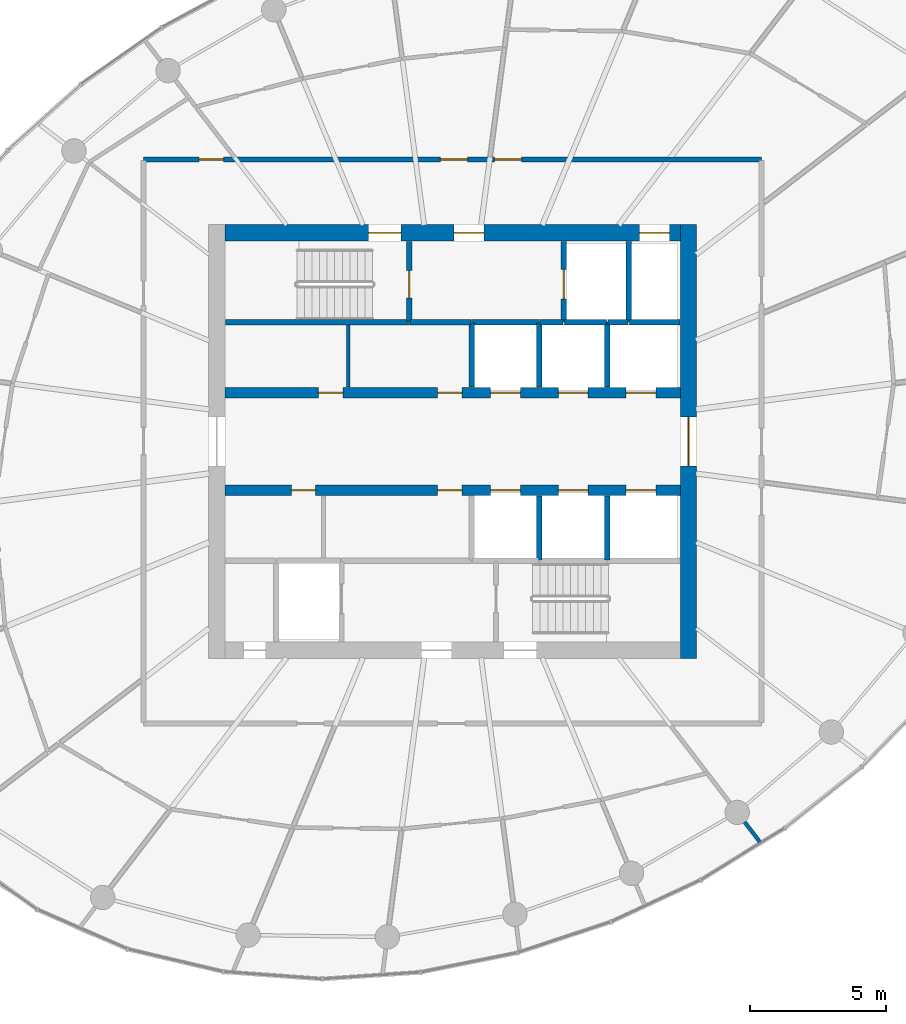
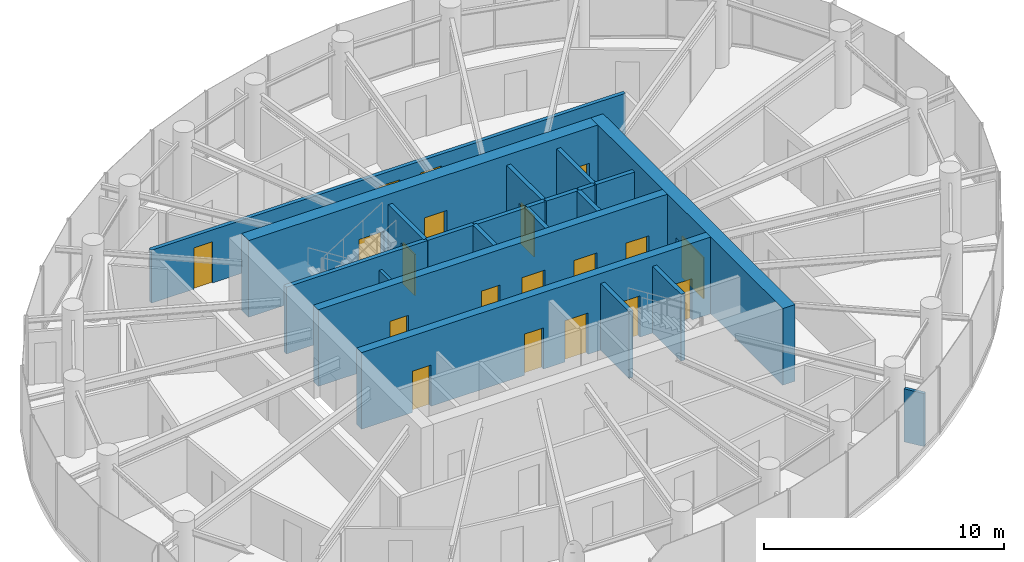
# One storey, part 10 of 14: 22 walls, 19 doors, 19 openings.
"""IFC4 building model written with IfcOpenShell, lengths in metres."""

from ifc_helpers import new_model, si_unit, direction, frame, frame_2d, origin, place, context, subcontext, project, spatial, rectangle, extrude, source, transform, mapped, material, layer, layer_set, type_object, element, fill, save


model = new_model("IFC4")

# Units and contexts
model_context = context("Model", 3, precision=1e-05, world=origin(), true_north=direction((0.0, 1.0)))
body_context = subcontext(model_context, "Body", "Model", "MODEL_VIEW")
ifc_project = project(units=[si_unit("LENGTHUNIT", "METRE"), si_unit("AREAUNIT", "SQUARE_METRE"), si_unit("VOLUMEUNIT", "CUBIC_METRE"), si_unit("PLANEANGLEUNIT", "RADIAN"), si_unit("MASSUNIT", "GRAM", prefix="KILO")], contexts=[model_context])

# Site, building, storey
site_placement = place(None, origin())
site = spatial("IfcSite", under=ifc_project, at=site_placement, CompositionType="ELEMENT")
building_placement = place(site_placement, origin())
building = spatial("IfcBuilding", under=site, at=building_placement, Name="Spindrift Exchange Tower", CompositionType="ELEMENT")
storey_placement = place(building_placement, frame((0.0, 0.0, 226.699951171875)))
storey = spatial("IfcBuildingStorey", under=building, at=storey_placement, Name="L55", CompositionType="ELEMENT", Elevation=226.699951171875)

# Wall, opening, door
ifc_material_1 = material(Name="Concrete 50 MPa", Category="concrete")
ifc_layer_1 = layer(ifc_material_1, 0.60009765625)
ifc_layer_set_1 = layer_set([ifc_layer_1], Name="RC Core Wall 600 Concrete 50 MPa")
wall_type_1 = type_object("IfcWallType", Name="RC Core Wall 600 Concrete 50 MPa", PredefinedType="SHEAR", material=ifc_layer_set_1)
wall_1_placement = place(storey_placement, frame((60.699951171875, 40.0, 0.0), z_axis=(0.0, 0.0, 1.0), x_axis=(0.0, 1.0, 0.0)))
wall_1 = element("IfcWall", 1, at=wall_1_placement, inside=storey, type_object=wall_type_1, Name="Core wall E L55", PredefinedType="SHEAR", context=body_context, shape_type="SweptSolid", body=[
    extrude(rectangle(XDim=16.0, YDim=0.60009765625, at=frame_2d((8.0, 0.0))), origin(), (0.0, 0.0, 1.0), 3.900146484375),
])
opening_1_placement = place(wall_1_placement, frame((7.10009765625, 0.0, 0.0)))
opening_1 = element("IfcOpeningElement", 2, at=opening_1_placement, cuts=wall_1, Name="Opening L55-D2", PredefinedType="OPENING", context=body_context, shape_type="SweptSolid", body=[
    extrude(rectangle(XDim=1.800048828125, YDim=2.10009765625, at=frame_2d((0.89990234375, 1.050048828125))), frame((0.0, 0.31005859375, 0.0), z_axis=(0.0, -1.0, 0.0), x_axis=(1.0, 0.0, 0.0)), (0.0, 0.0, 1.0), 0.6201171875),
])
ifc_material_2 = material(Name="Timber-core fire door", Category="wood")
door_type_1 = type_object("IfcDoorType", Name="DR-LOBBY-1800", OperationType="NOTDEFINED", PredefinedType="DOOR", material=ifc_material_2)
shared_shape_1 = source(origin(), body_context, "Body", "SweptSolid", [
    extrude(rectangle(XDim=1.800048828125, YDim=2.10009765625, at=frame_2d((0.89990234375, 1.050048828125))), frame((0.0, 0.02490234375, 0.0), z_axis=(0.0, -1.0, 0.0), x_axis=(1.0, 0.0, 0.0)), (0.0, 0.0, 1.0), 0.050048828125),
])
door_1_placement = place(opening_1_placement, origin())
door_1 = element("IfcDoor", 3, at=door_1_placement, inside=storey, type_object=door_type_1, Name="L55 Lobby door 2", OperationType="SINGLE_SWING_LEFT", OverallHeight=2.10009765625, OverallWidth=1.800048828125, PredefinedType="DOOR", context=body_context, shape_type="MappedRepresentation", body=[
    mapped(shared_shape_1, transform((0.0, 0.0, 0.0), scale=1.0)),
])
fill(opening_1, door_1)

# Wall, openings, doors
wall_2_placement = place(storey_placement, frame((60.39990234375, 55.699951171875, 0.0), z_axis=(0.0, 0.0, 1.0), x_axis=(-1.0, 0.0, 0.0)))
wall_2 = element("IfcWall", 4, at=wall_2_placement, inside=storey, type_object=wall_type_1, Name="Core wall N L55", PredefinedType="SHEAR", context=body_context, shape_type="SweptSolid", body=[
    extrude(rectangle(XDim=16.7998046875, YDim=0.60009765625, at=frame_2d((8.39990234375, 0.0))), origin(), (0.0, 0.0, 1.0), 3.900146484375),
])
opening_2_placement = place(wall_2_placement, frame((0.39990234375, 0.0, 0.0)))
opening_2 = element("IfcOpeningElement", 5, at=opening_2_placement, cuts=wall_2, Name="Opening L55-D11", PredefinedType="OPENING", context=body_context, shape_type="SweptSolid", body=[
    extrude(rectangle(XDim=1.10009765625, YDim=2.10009765625, at=frame_2d((0.550048828125, 1.050048828125))), frame((0.0, 0.31005859375, 0.0), z_axis=(0.0, -1.0, 0.0), x_axis=(1.0, 0.0, 0.0)), (0.0, 0.0, 1.0), 0.6201171875),
])
opening_3_placement = place(wall_2_placement, frame((10.300048828125, 0.0, 0.0)))
opening_3 = element("IfcOpeningElement", 6, at=opening_3_placement, cuts=wall_2, Name="Opening L55-D12", PredefinedType="OPENING", context=body_context, shape_type="SweptSolid", body=[
    extrude(rectangle(XDim=1.199951171875, YDim=2.10009765625, at=frame_2d((0.60009765625, 1.050048828125))), frame((0.0, 0.31005859375, 0.0), z_axis=(0.0, -1.0, 0.0), x_axis=(1.0, 0.0, 0.0)), (0.0, 0.0, 1.0), 0.6201171875),
])
opening_4_placement = place(wall_2_placement, frame((7.25, 0.0, 0.0)))
opening_4 = element("IfcOpeningElement", 7, at=opening_4_placement, cuts=wall_2, Name="Opening L55-D14", PredefinedType="OPENING", context=body_context, shape_type="SweptSolid", body=[
    extrude(rectangle(XDim=1.10009765625, YDim=2.10009765625, at=frame_2d((0.550048828125, 1.050048828125))), frame((0.0, 0.31005859375, 0.0), z_axis=(0.0, -1.0, 0.0), x_axis=(1.0, 0.0, 0.0)), (0.0, 0.0, 1.0), 0.6201171875),
])
ifc_material_3 = material(Name="Stainless steel landing door", Category="steel")
door_type_2 = type_object("IfcDoorType", Name="DR-LANDING-1100-SL", OperationType="DOUBLE_DOOR_SLIDING", PredefinedType="USERDEFINED", material=ifc_material_3)
shared_shape_2 = source(origin(), body_context, "Body", "SweptSolid", [
    extrude(rectangle(XDim=1.10009765625, YDim=2.10009765625, at=frame_2d((0.550048828125, 1.050048828125))), frame((0.0, 0.02490234375, 0.0), z_axis=(0.0, -1.0, 0.0), x_axis=(1.0, 0.0, 0.0)), (0.0, 0.0, 1.0), 0.050048828125),
])
door_2_placement = place(opening_2_placement, origin())
door_2 = element("IfcDoor", 8, at=door_2_placement, inside=storey, type_object=door_type_2, Name="L55 Lift landing door 11", ObjectType="LANDING DOOR", OperationType="DOUBLE_DOOR_SLIDING", OverallHeight=2.10009765625, OverallWidth=1.10009765625, PredefinedType="USERDEFINED", context=body_context, shape_type="MappedRepresentation", body=[
    mapped(shared_shape_2, transform((0.0, 0.0, 0.0), scale=1.0)),
])
fill(opening_2, door_2)
ifc_material_4 = material(Name="Steel fire door", Category="steel")
door_type_3 = type_object("IfcDoorType", Name="DR-STAIR-1200", OperationType="NOTDEFINED", PredefinedType="DOOR", material=ifc_material_4)
shared_shape_3 = source(origin(), body_context, "Body", "SweptSolid", [
    extrude(rectangle(XDim=1.199951171875, YDim=2.10009765625, at=frame_2d((0.60009765625, 1.050048828125))), frame((0.0, 0.02490234375, 0.0), z_axis=(0.0, -1.0, 0.0), x_axis=(1.0, 0.0, 0.0)), (0.0, 0.0, 1.0), 0.050048828125),
])
door_3_placement = place(opening_3_placement, origin())
door_3 = element("IfcDoor", 9, at=door_3_placement, inside=storey, type_object=door_type_3, Name="L55 Stair door 12", OperationType="SINGLE_SWING_RIGHT", OverallHeight=2.10009765625, OverallWidth=1.199951171875, PredefinedType="DOOR", context=body_context, shape_type="MappedRepresentation", body=[
    mapped(shared_shape_3, transform((0.0, 0.0, 0.0), scale=1.0)),
])
fill(opening_3, door_3)
door_type_4 = type_object("IfcDoorType", Name="DR-LOBBY-1100", OperationType="NOTDEFINED", PredefinedType="DOOR", material=ifc_material_2)
shared_shape_4 = source(origin(), body_context, "Body", "SweptSolid", [
    extrude(rectangle(XDim=1.10009765625, YDim=2.10009765625, at=frame_2d((0.550048828125, 1.050048828125))), frame((0.0, 0.02490234375, 0.0), z_axis=(0.0, -1.0, 0.0), x_axis=(1.0, 0.0, 0.0)), (0.0, 0.0, 1.0), 0.050048828125),
])
door_4_placement = place(opening_4_placement, origin())
door_4 = element("IfcDoor", 10, at=door_4_placement, inside=storey, type_object=door_type_4, Name="L55 Lobby door 14", OperationType="SINGLE_SWING_RIGHT", OverallHeight=2.10009765625, OverallWidth=1.10009765625, PredefinedType="DOOR", context=body_context, shape_type="MappedRepresentation", body=[
    mapped(shared_shape_4, transform((0.0, 0.0, 0.0), scale=1.0)),
])
fill(opening_4, door_4)

ifc_layer_2 = layer(ifc_material_1, 0.39990234375)
ifc_layer_set_2 = layer_set([ifc_layer_2], Name="RC Spine Wall 400 Concrete 50 MPa")
wall_type_2 = type_object("IfcWallType", Name="RC Spine Wall 400 Concrete 50 MPa", PredefinedType="SHEAR", material=ifc_layer_set_2)
wall_3_placement = place(storey_placement, frame((43.60009765625, 49.800048828125, 0.0), z_axis=(0.0, 0.0, 1.0), x_axis=(1.0, 0.0, 0.0)))
wall_3 = element("IfcWall", 11, at=wall_3_placement, inside=storey, type_object=wall_type_2, Name="Core spine wall N L55", PredefinedType="SHEAR", context=body_context, shape_type="SweptSolid", body=[
    extrude(rectangle(XDim=16.7998046875, YDim=0.39990234375, at=frame_2d((8.39990234375, 0.0))), origin(), (0.0, 0.0, 1.0), 3.900146484375),
])
opening_5_placement = place(wall_3_placement, frame((9.800048828125, 0.0, 0.0)))
opening_5 = element("IfcOpeningElement", 12, at=opening_5_placement, cuts=wall_3, Name="Opening L55-D3", PredefinedType="OPENING", context=body_context, shape_type="SweptSolid", body=[
    extrude(rectangle(XDim=1.10009765625, YDim=2.10009765625, at=frame_2d((0.550048828125, 1.050048828125))), frame((0.0, 0.2099609375, 0.0), z_axis=(0.0, -1.0, 0.0), x_axis=(1.0, 0.0, 0.0)), (0.0, 0.0, 1.0), 0.419921875),
])
opening_6_placement = place(wall_3_placement, frame((12.300048828125, 0.0, 0.0)))
opening_6 = element("IfcOpeningElement", 13, at=opening_6_placement, cuts=wall_3, Name="Opening L55-D4", PredefinedType="OPENING", context=body_context, shape_type="SweptSolid", body=[
    extrude(rectangle(XDim=1.10009765625, YDim=2.10009765625, at=frame_2d((0.550048828125, 1.050048828125))), frame((0.0, 0.2099609375, 0.0), z_axis=(0.0, -1.0, 0.0), x_axis=(1.0, 0.0, 0.0)), (0.0, 0.0, 1.0), 0.419921875),
])
opening_7_placement = place(wall_3_placement, frame((14.800048828125, 0.0, 0.0)))
opening_7 = element("IfcOpeningElement", 14, at=opening_7_placement, cuts=wall_3, Name="Opening L55-D5", PredefinedType="OPENING", context=body_context, shape_type="SweptSolid", body=[
    extrude(rectangle(XDim=1.10009765625, YDim=2.10009765625, at=frame_2d((0.550048828125, 1.050048828125))), frame((0.0, 0.2099609375, 0.0), z_axis=(0.0, -1.0, 0.0), x_axis=(1.0, 0.0, 0.0)), (0.0, 0.0, 1.0), 0.419921875),
])
opening_8_placement = place(wall_3_placement, frame((3.449951171875, 0.0, 0.0)))
opening_8 = element("IfcOpeningElement", 15, at=opening_8_placement, cuts=wall_3, Name="Opening L55-D47", PredefinedType="OPENING", context=body_context, shape_type="SweptSolid", body=[
    extrude(rectangle(XDim=0.89990234375, YDim=2.10009765625, at=frame_2d((0.449951171875, 1.050048828125))), frame((0.0, 0.2099609375, 0.0), z_axis=(0.0, -1.0, 0.0), x_axis=(1.0, 0.0, 0.0)), (0.0, 0.0, 1.0), 0.419921875),
])
opening_9_placement = place(wall_3_placement, frame((7.85009765625, 0.0, 0.0)))
opening_9 = element("IfcOpeningElement", 16, at=opening_9_placement, cuts=wall_3, Name="Opening L55-D48", PredefinedType="OPENING", context=body_context, shape_type="SweptSolid", body=[
    extrude(rectangle(XDim=0.89990234375, YDim=2.10009765625, at=frame_2d((0.449951171875, 1.050048828125))), frame((0.0, 0.2099609375, 0.0), z_axis=(0.0, -1.0, 0.0), x_axis=(1.0, 0.0, 0.0)), (0.0, 0.0, 1.0), 0.419921875),
])
door_5_placement = place(opening_5_placement, origin())
door_5 = element("IfcDoor", 17, at=door_5_placement, inside=storey, type_object=door_type_2, Name="L55 Lift landing door 3", ObjectType="LANDING DOOR", OperationType="DOUBLE_DOOR_SLIDING", OverallHeight=2.10009765625, OverallWidth=1.10009765625, PredefinedType="USERDEFINED", context=body_context, shape_type="MappedRepresentation", body=[
    mapped(shared_shape_2, transform((0.0, 0.0, 0.0), scale=1.0)),
])
fill(opening_5, door_5)
door_6_placement = place(opening_6_placement, origin())
door_6 = element("IfcDoor", 18, at=door_6_placement, inside=storey, type_object=door_type_2, Name="L55 Lift landing door 4", ObjectType="LANDING DOOR", OperationType="DOUBLE_DOOR_SLIDING", OverallHeight=2.10009765625, OverallWidth=1.10009765625, PredefinedType="USERDEFINED", context=body_context, shape_type="MappedRepresentation", body=[
    mapped(shared_shape_2, transform((0.0, 0.0, 0.0), scale=1.0)),
])
fill(opening_6, door_6)
door_7_placement = place(opening_7_placement, origin())
door_7 = element("IfcDoor", 19, at=door_7_placement, inside=storey, type_object=door_type_2, Name="L55 Lift landing door 5", ObjectType="LANDING DOOR", OperationType="DOUBLE_DOOR_SLIDING", OverallHeight=2.10009765625, OverallWidth=1.10009765625, PredefinedType="USERDEFINED", context=body_context, shape_type="MappedRepresentation", body=[
    mapped(shared_shape_2, transform((0.0, 0.0, 0.0), scale=1.0)),
])
fill(opening_7, door_7)
ifc_material_5 = material(Name="Steel access door", Category="steel")
door_type_5 = type_object("IfcDoorType", Name="DR-RISER-900", OperationType="NOTDEFINED", PredefinedType="DOOR", material=ifc_material_5)
shared_shape_5 = source(origin(), body_context, "Body", "SweptSolid", [
    extrude(rectangle(XDim=0.89990234375, YDim=2.10009765625, at=frame_2d((0.449951171875, 1.050048828125))), frame((0.0, 0.02490234375, 0.0), z_axis=(0.0, -1.0, 0.0), x_axis=(1.0, 0.0, 0.0)), (0.0, 0.0, 1.0), 0.050048828125),
])
door_8_placement = place(opening_8_placement, origin())
door_8 = element("IfcDoor", 20, at=door_8_placement, inside=storey, type_object=door_type_5, Name="L55 Riser door 47", OperationType="SINGLE_SWING_LEFT", OverallHeight=2.10009765625, OverallWidth=0.89990234375, PredefinedType="DOOR", context=body_context, shape_type="MappedRepresentation", body=[
    mapped(shared_shape_5, transform((0.0, 0.0, 0.0), scale=1.0)),
])
fill(opening_8, door_8)
door_9_placement = place(opening_9_placement, origin())
door_9 = element("IfcDoor", 21, at=door_9_placement, inside=storey, type_object=door_type_5, Name="L55 Riser door 48", OperationType="SINGLE_SWING_RIGHT", OverallHeight=2.10009765625, OverallWidth=0.89990234375, PredefinedType="DOOR", context=body_context, shape_type="MappedRepresentation", body=[
    mapped(shared_shape_5, transform((0.0, 0.0, 0.0), scale=1.0)),
])
fill(opening_9, door_9)

wall_4_placement = place(storey_placement, frame((43.60009765625, 46.199951171875, 0.0), z_axis=(0.0, 0.0, 1.0), x_axis=(1.0, 0.0, 0.0)))
wall_4 = element("IfcWall", 22, at=wall_4_placement, inside=storey, type_object=wall_type_2, Name="Core spine wall S L55", PredefinedType="SHEAR", context=body_context, shape_type="SweptSolid", body=[
    extrude(rectangle(XDim=16.7998046875, YDim=0.39990234375, at=frame_2d((8.39990234375, 0.0))), origin(), (0.0, 0.0, 1.0), 3.900146484375),
])
opening_10_placement = place(wall_4_placement, frame((9.800048828125, 0.0, 0.0)))
opening_10 = element("IfcOpeningElement", 23, at=opening_10_placement, cuts=wall_4, Name="Opening L55-D6", PredefinedType="OPENING", context=body_context, shape_type="SweptSolid", body=[
    extrude(rectangle(XDim=1.10009765625, YDim=2.10009765625, at=frame_2d((0.550048828125, 1.050048828125))), frame((0.0, 0.2099609375, 0.0), z_axis=(0.0, -1.0, 0.0), x_axis=(1.0, 0.0, 0.0)), (0.0, 0.0, 1.0), 0.419921875),
])
opening_11_placement = place(wall_4_placement, frame((12.300048828125, 0.0, 0.0)))
opening_11 = element("IfcOpeningElement", 24, at=opening_11_placement, cuts=wall_4, Name="Opening L55-D7", PredefinedType="OPENING", context=body_context, shape_type="SweptSolid", body=[
    extrude(rectangle(XDim=1.10009765625, YDim=2.10009765625, at=frame_2d((0.550048828125, 1.050048828125))), frame((0.0, 0.2099609375, 0.0), z_axis=(0.0, -1.0, 0.0), x_axis=(1.0, 0.0, 0.0)), (0.0, 0.0, 1.0), 0.419921875),
])
opening_12_placement = place(wall_4_placement, frame((14.800048828125, 0.0, 0.0)))
opening_12 = element("IfcOpeningElement", 25, at=opening_12_placement, cuts=wall_4, Name="Opening L55-D8", PredefinedType="OPENING", context=body_context, shape_type="SweptSolid", body=[
    extrude(rectangle(XDim=1.10009765625, YDim=2.10009765625, at=frame_2d((0.550048828125, 1.050048828125))), frame((0.0, 0.2099609375, 0.0), z_axis=(0.0, -1.0, 0.0), x_axis=(1.0, 0.0, 0.0)), (0.0, 0.0, 1.0), 0.419921875),
])
opening_13_placement = place(wall_4_placement, frame((2.449951171875, 0.0, 0.0)))
opening_13 = element("IfcOpeningElement", 26, at=opening_13_placement, cuts=wall_4, Name="Opening L55-D49", PredefinedType="OPENING", context=body_context, shape_type="SweptSolid", body=[
    extrude(rectangle(XDim=0.89990234375, YDim=2.10009765625, at=frame_2d((0.449951171875, 1.050048828125))), frame((0.0, 0.2099609375, 0.0), z_axis=(0.0, -1.0, 0.0), x_axis=(1.0, 0.0, 0.0)), (0.0, 0.0, 1.0), 0.419921875),
])
opening_14_placement = place(wall_4_placement, frame((7.85009765625, 0.0, 0.0)))
opening_14 = element("IfcOpeningElement", 27, at=opening_14_placement, cuts=wall_4, Name="Opening L55-D50", PredefinedType="OPENING", context=body_context, shape_type="SweptSolid", body=[
    extrude(rectangle(XDim=0.89990234375, YDim=2.10009765625, at=frame_2d((0.449951171875, 1.050048828125))), frame((0.0, 0.2099609375, 0.0), z_axis=(0.0, -1.0, 0.0), x_axis=(1.0, 0.0, 0.0)), (0.0, 0.0, 1.0), 0.419921875),
])
door_10_placement = place(opening_10_placement, origin())
door_10 = element("IfcDoor", 28, at=door_10_placement, inside=storey, type_object=door_type_2, Name="L55 Lift landing door 6", ObjectType="LANDING DOOR", OperationType="DOUBLE_DOOR_SLIDING", OverallHeight=2.10009765625, OverallWidth=1.10009765625, PredefinedType="USERDEFINED", context=body_context, shape_type="MappedRepresentation", body=[
    mapped(shared_shape_2, transform((0.0, 0.0, 0.0), scale=1.0)),
])
fill(opening_10, door_10)
door_11_placement = place(opening_11_placement, origin())
door_11 = element("IfcDoor", 29, at=door_11_placement, inside=storey, type_object=door_type_2, Name="L55 Lift landing door 7", ObjectType="LANDING DOOR", OperationType="DOUBLE_DOOR_SLIDING", OverallHeight=2.10009765625, OverallWidth=1.10009765625, PredefinedType="USERDEFINED", context=body_context, shape_type="MappedRepresentation", body=[
    mapped(shared_shape_2, transform((0.0, 0.0, 0.0), scale=1.0)),
])
fill(opening_11, door_11)
door_12_placement = place(opening_12_placement, origin())
door_12 = element("IfcDoor", 30, at=door_12_placement, inside=storey, type_object=door_type_2, Name="L55 Lift landing door 8", ObjectType="LANDING DOOR", OperationType="DOUBLE_DOOR_SLIDING", OverallHeight=2.10009765625, OverallWidth=1.10009765625, PredefinedType="USERDEFINED", context=body_context, shape_type="MappedRepresentation", body=[
    mapped(shared_shape_2, transform((0.0, 0.0, 0.0), scale=1.0)),
])
fill(opening_12, door_12)
door_13_placement = place(opening_13_placement, origin())
door_13 = element("IfcDoor", 31, at=door_13_placement, inside=storey, type_object=door_type_5, Name="L55 Riser door 49", OperationType="SINGLE_SWING_LEFT", OverallHeight=2.10009765625, OverallWidth=0.89990234375, PredefinedType="DOOR", context=body_context, shape_type="MappedRepresentation", body=[
    mapped(shared_shape_5, transform((0.0, 0.0, 0.0), scale=1.0)),
])
fill(opening_13, door_13)
door_14_placement = place(opening_14_placement, origin())
door_14 = element("IfcDoor", 32, at=door_14_placement, inside=storey, type_object=door_type_5, Name="L55 Riser door 50", OperationType="SINGLE_SWING_RIGHT", OverallHeight=2.10009765625, OverallWidth=0.89990234375, PredefinedType="DOOR", context=body_context, shape_type="MappedRepresentation", body=[
    mapped(shared_shape_5, transform((0.0, 0.0, 0.0), scale=1.0)),
])
fill(opening_14, door_14)

ifc_material_6 = material(Name="Fire-rated plasterboard partition", Category="gypsum")
ifc_layer_3 = layer(ifc_material_6, 0.179931640625)
ifc_layer_set_3 = layer_set([ifc_layer_3], Name="W-CORR-180")
wall_type_3 = type_object("IfcWallType", Name="W-CORR-180", PredefinedType="PARTITIONING", material=ifc_layer_set_3)
wall_5_placement = place(storey_placement, frame((40.60009765625, 58.39990234375, 0.0), z_axis=(0.0, 0.0, 1.0), x_axis=(1.0, 0.0, 0.0)))
wall_5 = element("IfcWall", 33, at=wall_5_placement, inside=storey, type_object=wall_type_3, Name="L55 Partition wall 27", PredefinedType="PARTITIONING", context=body_context, shape_type="SweptSolid", body=[
    extrude(rectangle(XDim=22.7998046875, YDim=0.179931640625, at=frame_2d((11.39990234375, 0.0))), origin(), (0.0, 0.0, 1.0), 2.699951171875),
])
opening_15_placement = place(wall_5_placement, frame((2.050048828125, 0.0, 0.0)))
opening_15 = element("IfcOpeningElement", 34, at=opening_15_placement, cuts=wall_5, Name="Opening L55-D19", PredefinedType="OPENING", context=body_context, shape_type="SweptSolid", body=[
    extrude(rectangle(XDim=0.89990234375, YDim=2.10009765625, at=frame_2d((0.449951171875, 1.050048828125))), frame((0.0, 0.099853515625, 0.0), z_axis=(0.0, -1.0, 0.0), x_axis=(1.0, 0.0, 0.0)), (0.0, 0.0, 1.0), 0.199951171875),
])
opening_16_placement = place(wall_5_placement, frame((12.949951171875, 0.0, 0.0)))
opening_16 = element("IfcOpeningElement", 35, at=opening_16_placement, cuts=wall_5, Name="Opening L55-D39", PredefinedType="OPENING", context=body_context, shape_type="SweptSolid", body=[
    extrude(rectangle(XDim=1.0, YDim=2.10009765625, at=frame_2d((0.5, 1.050048828125))), frame((0.0, 0.099853515625, 0.0), z_axis=(0.0, -1.0, 0.0), x_axis=(1.0, 0.0, 0.0)), (0.0, 0.0, 1.0), 0.199951171875),
])
opening_17_placement = place(wall_5_placement, frame((10.949951171875, 0.0, 0.0)))
opening_17 = element("IfcOpeningElement", 36, at=opening_17_placement, cuts=wall_5, Name="Opening L55-D43", PredefinedType="OPENING", context=body_context, shape_type="SweptSolid", body=[
    extrude(rectangle(XDim=1.0, YDim=2.10009765625, at=frame_2d((0.5, 1.050048828125))), frame((0.0, 0.099853515625, 0.0), z_axis=(0.0, -1.0, 0.0), x_axis=(1.0, 0.0, 0.0)), (0.0, 0.0, 1.0), 0.199951171875),
])
door_type_6 = type_object("IfcDoorType", Name="DR-ROOM-1000", OperationType="NOTDEFINED", PredefinedType="DOOR", material=ifc_material_2)
shared_shape_6 = source(origin(), body_context, "Body", "SweptSolid", [
    extrude(rectangle(XDim=1.0, YDim=2.10009765625, at=frame_2d((0.5, 1.050048828125))), frame((0.0, 0.02490234375, 0.0), z_axis=(0.0, -1.0, 0.0), x_axis=(1.0, 0.0, 0.0)), (0.0, 0.0, 1.0), 0.050048828125),
])
door_15_placement = place(opening_16_placement, origin())
door_15 = element("IfcDoor", 37, at=door_15_placement, inside=storey, type_object=door_type_6, Name="L55 Door 39", OperationType="SINGLE_SWING_LEFT", OverallHeight=2.10009765625, OverallWidth=1.0, PredefinedType="DOOR", context=body_context, shape_type="MappedRepresentation", body=[
    mapped(shared_shape_6, transform((0.0, 0.0, 0.0), scale=1.0)),
])
fill(opening_16, door_15)
door_16_placement = place(opening_17_placement, origin())
door_16 = element("IfcDoor", 38, at=door_16_placement, inside=storey, type_object=door_type_6, Name="L55 Door 43", OperationType="SINGLE_SWING_LEFT", OverallHeight=2.10009765625, OverallWidth=1.0, PredefinedType="DOOR", context=body_context, shape_type="MappedRepresentation", body=[
    mapped(shared_shape_6, transform((0.0, 0.0, 0.0), scale=1.0)),
])
fill(opening_17, door_16)
ifc_material_7 = material(Name="Laminate washroom door", Category="wood")
door_type_7 = type_object("IfcDoorType", Name="DR-WC-900", OperationType="NOTDEFINED", PredefinedType="DOOR", material=ifc_material_7)
shared_shape_7 = source(origin(), body_context, "Body", "SweptSolid", [
    extrude(rectangle(XDim=0.89990234375, YDim=2.10009765625, at=frame_2d((0.449951171875, 1.050048828125))), frame((0.0, 0.02490234375, 0.0), z_axis=(0.0, -1.0, 0.0), x_axis=(1.0, 0.0, 0.0)), (0.0, 0.0, 1.0), 0.050048828125),
])
door_17_placement = place(opening_15_placement, origin())
door_17 = element("IfcDoor", 39, at=door_17_placement, inside=storey, type_object=door_type_7, Name="L55 WC door 19", OperationType="SINGLE_SWING_LEFT", OverallHeight=2.10009765625, OverallWidth=0.89990234375, PredefinedType="DOOR", context=body_context, shape_type="MappedRepresentation", body=[
    mapped(shared_shape_7, transform((0.0, 0.0, 0.0), scale=1.0)),
])
fill(opening_15, door_17)

# Walls
ifc_layer_4 = layer(ifc_material_6, 0.139892578125)
ifc_layer_set_4 = layer_set([ifc_layer_4], Name="W-PART-140")
wall_type_4 = type_object("IfcWallType", Name="W-PART-140", PredefinedType="PARTITIONING", material=ifc_layer_set_4)
wall_6_placement = place(storey_placement, frame((48.14990234375, 50.010009765625, 0.0), z_axis=(0.0, 0.0, 1.0), x_axis=(0.0, 1.0, 0.0)))
element("IfcWall", 40, at=wall_6_placement, inside=storey, type_object=wall_type_4, Name="L55 Partition wall 77", PredefinedType="PARTITIONING", context=body_context, shape_type="SweptSolid", body=[
    extrude(rectangle(XDim=2.2900390625, YDim=0.139892578125, at=frame_2d((1.14501953125, 0.0))), origin(), (0.0, 0.0, 1.0), 2.699951171875),
])
wall_7_placement = place(storey_placement, frame((62.77587890625, 33.956298828125, 0.0), z_axis=(0.0, 0.0, 1.0), x_axis=(0.608826656725, -0.793303285044, 0.0)))
element("IfcWall", 41, at=wall_7_placement, inside=storey, type_object=wall_type_4, Name="L55 Partition wall 96", PredefinedType="PARTITIONING", context=body_context, shape_type="SweptSolid", body=[
    extrude(rectangle(XDim=0.907958984375, YDim=0.139892578125, at=frame_2d((0.4541015625, 0.0))), origin(), (0.0, 0.0, 1.0), 2.699951171875),
])

# Wall, opening, door
ifc_material_8 = material(Name="Concrete 40 MPa", Category="concrete")
ifc_layer_5 = layer(ifc_material_8, 0.199951171875)
ifc_layer_set_5 = layer_set([ifc_layer_5], Name="W-SHAFT-200")
wall_type_5 = type_object("IfcWallType", Name="W-SHAFT-200", PredefinedType="SOLIDWALL", material=ifc_layer_set_5)
wall_8_placement = place(storey_placement, frame((56.10009765625, 55.3798828125, 0.0), z_axis=(0.0, 0.0, 1.0), x_axis=(0.0, -1.0, 0.0)))
wall_8 = element("IfcWall", 42, at=wall_8_placement, inside=storey, type_object=wall_type_5, Name="L55 Shaft wall 7", PredefinedType="SOLIDWALL", context=body_context, shape_type="SweptSolid", body=[
    extrude(rectangle(XDim=2.97998046875, YDim=0.199951171875, at=frame_2d((1.489990234375, 0.0))), origin(), (0.0, 0.0, 1.0), 3.400146484375),
])
opening_18_placement = place(wall_8_placement, frame((1.030029296875, 0.0, 0.0)))
opening_18 = element("IfcOpeningElement", 43, at=opening_18_placement, cuts=wall_8, Name="Opening L55-D9", PredefinedType="OPENING", context=body_context, shape_type="SweptSolid", body=[
    extrude(rectangle(XDim=1.10009765625, YDim=2.10009765625, at=frame_2d((0.550048828125, 1.050048828125))), frame((0.0, 0.10986328125, 0.0), z_axis=(0.0, -1.0, 0.0), x_axis=(1.0, 0.0, 0.0)), (0.0, 0.0, 1.0), 0.219970703125),
])
door_18_placement = place(opening_18_placement, origin())
door_18 = element("IfcDoor", 44, at=door_18_placement, inside=storey, type_object=door_type_2, Name="L55 Lift landing door 9", ObjectType="LANDING DOOR", OperationType="DOUBLE_DOOR_SLIDING", OverallHeight=2.10009765625, OverallWidth=1.10009765625, PredefinedType="USERDEFINED", context=body_context, shape_type="MappedRepresentation", body=[
    mapped(shared_shape_2, transform((0.0, 0.0, 0.0), scale=1.0)),
])
fill(opening_18, door_18)

# Walls
wall_9_placement = place(storey_placement, frame((58.5, 52.39990234375, 0.0), z_axis=(0.0, 0.0, 1.0), x_axis=(0.0, 1.0, 0.0)))
element("IfcWall", 45, at=wall_9_placement, inside=storey, type_object=wall_type_5, Name="L55 Shaft wall 8", PredefinedType="SOLIDWALL", context=body_context, shape_type="SweptSolid", body=[
    extrude(rectangle(XDim=2.97998046875, YDim=0.199951171875, at=frame_2d((1.489990234375, 0.0))), origin(), (0.0, 0.0, 1.0), 3.400146484375),
])
wall_10_placement = place(storey_placement, frame((55.199951171875, 52.39990234375, 0.0), z_axis=(0.0, 0.0, 1.0), x_axis=(-1.0, 0.0, 0.0)))
element("IfcWall", 46, at=wall_10_placement, inside=storey, type_object=wall_type_5, Name="L55 Shaft wall 10", PredefinedType="SOLIDWALL", context=body_context, shape_type="SweptSolid", body=[
    extrude(rectangle(XDim=2.5, YDim=0.199951171875, at=frame_2d((1.25, 0.0))), origin(), (0.0, 0.0, 1.0), 3.400146484375),
])
for number, where, z_axis, x_axis, name in (
    (47, (52.699951171875, 52.3701171875, 0.0), (0.0, 0.0, 1.0), (0.0, -1.0, 0.0), "L55 Shaft wall 14"),
    (48, (55.199951171875, 50.010009765625, 0.0), (0.0, 0.0, 1.0), (0.0, 1.0, 0.0), "L55 Shaft wall 16"),
):
    element("IfcWall", number, at=place(storey_placement, frame(where, z_axis=z_axis, x_axis=x_axis)), inside=storey, type_object=wall_type_5, Name=name, PredefinedType="SOLIDWALL", context=body_context, shape_type="SweptSolid", body=[
        extrude(rectangle(XDim=2.360107421875, YDim=0.199951171875, at=frame_2d((1.18017578125, 0.0))), origin(), (0.0, 0.0, 1.0), 3.400146484375),
    ])
wall_11_placement = place(storey_placement, frame((57.699951171875, 50.010009765625, 0.0), z_axis=(0.0, 0.0, 1.0), x_axis=(0.0, 1.0, 0.0)))
element("IfcWall", 49, at=wall_11_placement, inside=storey, type_object=wall_type_5, Name="L55 Shaft wall 18", PredefinedType="SOLIDWALL", context=body_context, shape_type="SweptSolid", body=[
    extrude(rectangle(XDim=2.389892578125, YDim=0.199951171875, at=frame_2d((1.19482421875, 0.0))), origin(), (0.0, 0.0, 1.0), 3.400146484375),
])
wall_12_placement = place(storey_placement, frame((60.3798828125, 52.39990234375, 0.0), z_axis=(0.0, 0.0, 1.0), x_axis=(-1.0, 0.0, 0.0)))
element("IfcWall", 50, at=wall_12_placement, inside=storey, type_object=wall_type_5, Name="L55 Shaft wall 21", PredefinedType="SOLIDWALL", context=body_context, shape_type="SweptSolid", body=[
    extrude(rectangle(XDim=1.849853515625, YDim=0.199951171875, at=frame_2d((0.9248046875, 0.0))), origin(), (0.0, 0.0, 1.0), 3.400146484375),
])
wall_13_placement = place(storey_placement, frame((57.669921875, 52.39990234375, 0.0), z_axis=(0.0, 0.0, 1.0), x_axis=(-1.0, 0.0, 0.0)))
element("IfcWall", 51, at=wall_13_placement, inside=storey, type_object=wall_type_5, Name="L55 Shaft wall 23", PredefinedType="SOLIDWALL", context=body_context, shape_type="SweptSolid", body=[
    extrude(rectangle(XDim=1.5400390625, YDim=0.199951171875, at=frame_2d((0.77001953125, 0.0))), origin(), (0.0, 0.0, 1.0), 3.400146484375),
])
wall_14_placement = place(storey_placement, frame((56.070068359375, 52.39990234375, 0.0), z_axis=(0.0, 0.0, 1.0), x_axis=(-1.0, 0.0, 0.0)))
element("IfcWall", 52, at=wall_14_placement, inside=storey, type_object=wall_type_5, Name="L55 Shaft wall 25", PredefinedType="SOLIDWALL", context=body_context, shape_type="SweptSolid", body=[
    extrude(rectangle(XDim=0.840087890625, YDim=0.199951171875, at=frame_2d((0.419921875, 0.0))), origin(), (0.0, 0.0, 1.0), 3.400146484375),
])
wall_15_placement = place(storey_placement, frame((58.469970703125, 52.39990234375, 0.0), z_axis=(0.0, 0.0, 1.0), x_axis=(-1.0, 0.0, 0.0)))
element("IfcWall", 53, at=wall_15_placement, inside=storey, type_object=wall_type_5, Name="L55 Shaft wall 26", PredefinedType="SOLIDWALL", context=body_context, shape_type="SweptSolid", body=[
    extrude(rectangle(XDim=0.739990234375, YDim=0.199951171875, at=frame_2d((0.3701171875, 0.0))), origin(), (0.0, 0.0, 1.0), 3.400146484375),
])
ifc_layer_6 = layer(ifc_material_8, 0.199951171875)
ifc_layer_set_6 = layer_set([ifc_layer_6], Name="W-SHAFT-200-LB")
wall_type_6 = type_object("IfcWallType", Name="W-SHAFT-200-LB", PredefinedType="SOLIDWALL", material=ifc_layer_set_6)
wall_16_placement = place(storey_placement, frame((43.6201171875, 52.39990234375, 0.0), z_axis=(0.0, 0.0, 1.0), x_axis=(1.0, 0.0, 0.0)))
element("IfcWall", 54, at=wall_16_placement, inside=storey, type_object=wall_type_6, Name="L55 Shaft wall 1", PredefinedType="SOLIDWALL", context=body_context, shape_type="SweptSolid", body=[
    extrude(rectangle(XDim=6.77978515625, YDim=0.199951171875, at=frame_2d((3.389892578125, 0.0))), origin(), (0.0, 0.0, 1.0), 3.400146484375),
])

# Wall, opening, door
wall_17_placement = place(storey_placement, frame((50.39990234375, 52.429931640625, 0.0), z_axis=(0.0, 0.0, 1.0), x_axis=(0.0, 1.0, 0.0)))
wall_17 = element("IfcWall", 55, at=wall_17_placement, inside=storey, type_object=wall_type_6, Name="L55 Shaft wall 5", PredefinedType="SOLIDWALL", context=body_context, shape_type="SweptSolid", body=[
    extrude(rectangle(XDim=2.949951171875, YDim=0.199951171875, at=frame_2d((1.47509765625, 0.0))), origin(), (0.0, 0.0, 1.0), 3.400146484375),
])
opening_19_placement = place(wall_17_placement, frame((0.8701171875, 0.0, 0.0)))
opening_19 = element("IfcOpeningElement", 56, at=opening_19_placement, cuts=wall_17, Name="Opening L55-D13", PredefinedType="OPENING", context=body_context, shape_type="SweptSolid", body=[
    extrude(rectangle(XDim=1.0, YDim=2.10009765625, at=frame_2d((0.5, 1.050048828125))), frame((0.0, 0.10986328125, 0.0), z_axis=(0.0, -1.0, 0.0), x_axis=(1.0, 0.0, 0.0)), (0.0, 0.0, 1.0), 0.219970703125),
])
door_type_8 = type_object("IfcDoorType", Name="DR-STAIR-1000", OperationType="NOTDEFINED", PredefinedType="DOOR", material=ifc_material_4)
shared_shape_8 = source(origin(), body_context, "Body", "SweptSolid", [
    extrude(rectangle(XDim=1.0, YDim=2.10009765625, at=frame_2d((0.5, 1.050048828125))), frame((0.0, 0.02490234375, 0.0), z_axis=(0.0, -1.0, 0.0), x_axis=(1.0, 0.0, 0.0)), (0.0, 0.0, 1.0), 0.050048828125),
])
door_19_placement = place(opening_19_placement, origin())
door_19 = element("IfcDoor", 57, at=door_19_placement, inside=storey, type_object=door_type_8, Name="L55 Stair door 13", OperationType="SINGLE_SWING_LEFT", OverallHeight=2.10009765625, OverallWidth=1.0, PredefinedType="DOOR", context=body_context, shape_type="MappedRepresentation", body=[
    mapped(shared_shape_8, transform((0.0, 0.0, 0.0), scale=1.0)),
])
fill(opening_19, door_19)

# Walls
for number, where, z_axis, x_axis, name in (
    (58, (55.199951171875, 43.6298828125, 0.0), (0.0, 0.0, 1.0), (0.0, 1.0, 0.0), "L55 Shaft wall 15"),
    (59, (57.699951171875, 43.6298828125, 0.0), (0.0, 0.0, 1.0), (0.0, 1.0, 0.0), "L55 Shaft wall 17"),
):
    element("IfcWall", number, at=place(storey_placement, frame(where, z_axis=z_axis, x_axis=x_axis)), inside=storey, type_object=wall_type_6, Name=name, PredefinedType="SOLIDWALL", context=body_context, shape_type="SweptSolid", body=[
        extrude(rectangle(XDim=2.360107421875, YDim=0.199951171875, at=frame_2d((1.18017578125, 0.0))), origin(), (0.0, 0.0, 1.0), 3.400146484375),
    ])
wall_18_placement = place(storey_placement, frame((50.429931640625, 52.39990234375, 0.0), z_axis=(0.0, 0.0, 1.0), x_axis=(1.0, 0.0, 0.0)))
element("IfcWall", 60, at=wall_18_placement, inside=storey, type_object=wall_type_6, Name="L55 Shaft wall 19", PredefinedType="SOLIDWALL", context=body_context, shape_type="SweptSolid", body=[
    extrude(rectangle(XDim=2.239990234375, YDim=0.199951171875, at=frame_2d((1.1201171875, 0.0))), origin(), (0.0, 0.0, 1.0), 3.400146484375),
])

save(model, "model.ifc")
